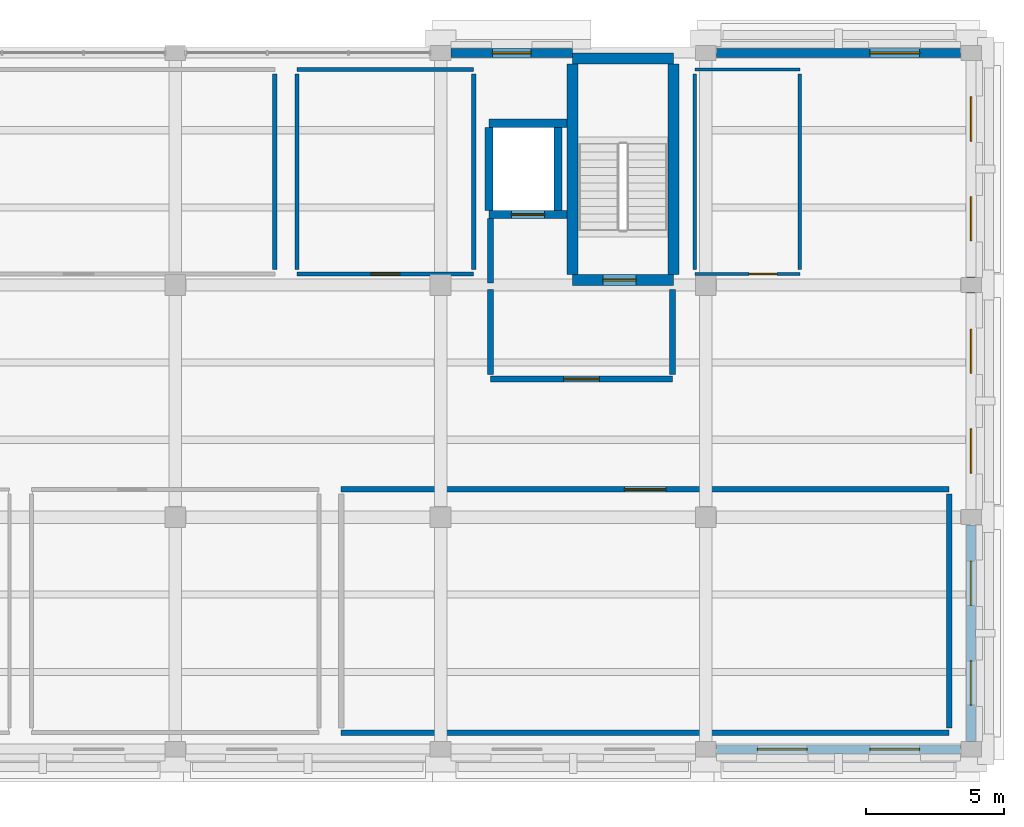
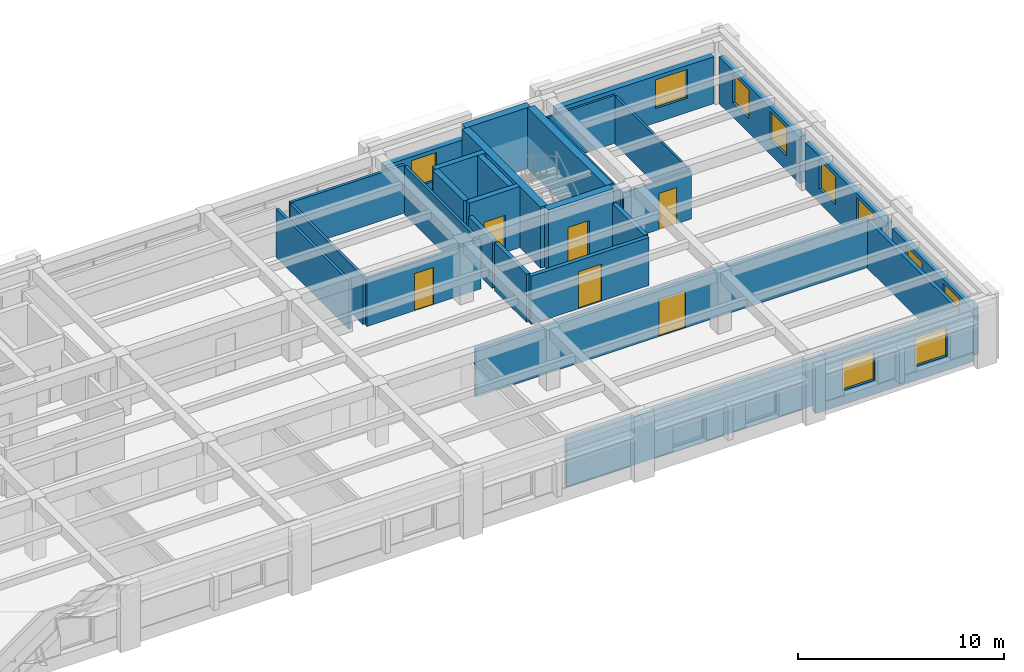
# One storey, part 7 of 12: 30 walls, 10 windows, 6 doors, 16 openings.
"""IFC4 building model written with IfcOpenShell, lengths in metres."""

from ifc_helpers import new_model, si_unit, direction, frame, frame_2d, origin, place, context, subcontext, project, spatial, rectangle, extrude, material, layer, layer_set, type_object, element, fill, save


model = new_model("IFC4")

# Units and contexts
model_context = context("Model", 3, precision=1e-05, world=origin(), true_north=direction((0.0, 1.0)))
body_context = subcontext(model_context, "Body", "Model", "MODEL_VIEW")
ifc_project = project(units=[si_unit("LENGTHUNIT", "METRE"), si_unit("AREAUNIT", "SQUARE_METRE"), si_unit("VOLUMEUNIT", "CUBIC_METRE"), si_unit("PLANEANGLEUNIT", "RADIAN"), si_unit("MASSUNIT", "GRAM", prefix="KILO")], contexts=[model_context])

# Site, building, storey
site_placement = place(None, origin())
site = spatial("IfcSite", under=ifc_project, at=site_placement, CompositionType="ELEMENT")
building_placement = place(site_placement, origin())
building = spatial("IfcBuilding", under=site, at=building_placement, Name="Bempovik Park Faculty of Sciences", CompositionType="ELEMENT")
storey_placement = place(building_placement, frame((0.0, 0.0, 34.5)))
storey = spatial("IfcBuildingStorey", under=building, at=storey_placement, Name="L08", CompositionType="ELEMENT", Elevation=34.5)

# Wall, opening, door
ifc_material_1 = material(Name="Gypsum acoustic stud assembly")
ifc_layer_1 = layer(ifc_material_1, 0.1201171875)
ifc_layer_set_1 = layer_set([ifc_layer_1], Name="Gypsum acoustic stud assembly")
wall_type_1 = type_object("IfcWallType", Name="W-17 Wall 120mm", PredefinedType="PARTITIONING", material=ifc_layer_set_1)
wall_1_placement = place(storey_placement, frame((107.60009765625, 111.39990234375, 0.0), z_axis=(0.0, 0.0, 1.0), x_axis=(1.0, 0.0, 0.0)))
wall_1 = element("IfcWall", 1, at=wall_1_placement, inside=storey, type_object=wall_type_1, Name="L08 L08 Accessible WC Partition South", PredefinedType="PARTITIONING", context=body_context, shape_type="SweptSolid", body=[
    extrude(rectangle(XDim=3.7998046875, YDim=0.1201171875, at=frame_2d((1.89990234375, 0.0))), origin(), (0.0, 0.0, 1.0), 2.85009765625),
])
opening_1_placement = place(wall_1_placement, frame((1.969970703125, 0.0, 0.0)))
opening_1 = element("IfcOpeningElement", 2, at=opening_1_placement, cuts=wall_1, Name="Opening D-50", PredefinedType="OPENING", context=body_context, shape_type="SweptSolid", body=[
    extrude(rectangle(XDim=1.0, YDim=2.14990234375, at=frame_2d((0.5, 1.074951171875))), frame((0.0, 0.070068359375, 0.0), z_axis=(0.0, -1.0, 0.0), x_axis=(1.0, 0.0, 0.0)), (0.0, 0.0, 1.0), 0.14013671875),
])
ifc_material_2 = material(Name="West African hardwood finish", Category="wood")
door_type_1 = type_object("IfcDoorType", Name="D-50 Door 1000x2150", OperationType="NOTDEFINED", PredefinedType="DOOR", material=ifc_material_2)
door_1_placement = place(opening_1_placement, origin())
door_1 = element("IfcDoor", 3, at=door_1_placement, inside=storey, type_object=door_type_1, Name="L08 L08 Accessible WC Door", OperationType="SINGLE_SWING_LEFT", OverallHeight=2.14990234375, OverallWidth=1.0, PredefinedType="DOOR", context=body_context, shape_type="SweptSolid", body=[
    extrude(rectangle(XDim=1.0, YDim=2.14990234375, at=frame_2d((0.5, 1.074951171875))), frame((0.0, 0.02490234375, 0.0), z_axis=(0.0, -1.0, 0.0), x_axis=(1.0, 0.0, 0.0)), (0.0, 0.0, 1.0), 0.050048828125),
])
fill(opening_1, door_1)

# Walls
wall_2_placement = place(storey_placement, frame((107.60009765625, 118.800048828125, 0.0), z_axis=(0.0, 0.0, 1.0), x_axis=(1.0, 0.0, 0.0)))
element("IfcWall", 4, at=wall_2_placement, inside=storey, type_object=wall_type_1, Name="L08 L08 Accessible WC Partition North", PredefinedType="PARTITIONING", context=body_context, shape_type="SweptSolid", body=[
    extrude(rectangle(XDim=3.7998046875, YDim=0.1201171875, at=frame_2d((1.89990234375, 0.0))), origin(), (0.0, 0.0, 1.0), 2.85009765625),
])
for number, where, z_axis, x_axis, name in (
    (5, (107.60009765625, 111.56005859375, 0.0), (0.0, 0.0, 1.0), (0.0, 1.0, 0.0), "L08 L08 Accessible WC Partition West"),
    (6, (111.39990234375, 111.56005859375, 0.0), (0.0, 0.0, 1.0), (0.0, 1.0, 0.0), "L08 L08 Accessible WC Partition East"),
):
    element("IfcWall", number, at=place(storey_placement, frame(where, z_axis=z_axis, x_axis=x_axis)), inside=storey, type_object=wall_type_1, Name=name, PredefinedType="PARTITIONING", context=body_context, shape_type="SweptSolid", body=[
        extrude(rectangle(XDim=7.079833984375, YDim=0.1201171875, at=frame_2d((3.5400390625, 0.0))), origin(), (0.0, 0.0, 1.0), 2.85009765625),
    ])

# Wall, opening, door
ifc_material_3 = material(Name="Concrete C40/50", Category="concrete")
ifc_layer_2 = layer(ifc_material_3, 0.300048828125)
ifc_layer_set_2 = layer_set([ifc_layer_2], Name="Concrete C40/50")
wall_type_2 = type_object("IfcWallType", Name="W-31 Wall 300mm", PredefinedType="SHEAR", material=ifc_layer_set_2)
wall_3_placement = place(storey_placement, frame((100.14990234375, 113.550048828125, 0.0), z_axis=(0.0, 0.0, 1.0), x_axis=(1.0, 0.0, 0.0)))
wall_3 = element("IfcWall", 7, at=wall_3_placement, inside=storey, type_object=wall_type_2, Name="Lift LF-2 L08 Shaft Wall South", PredefinedType="SHEAR", context=body_context, shape_type="SweptSolid", body=[
    extrude(rectangle(XDim=2.8251953125, YDim=0.300048828125, at=frame_2d((1.41259765625, 0.0))), origin(), (0.0, 0.0, 1.0), 3.6201171875),
])
opening_2_placement = place(wall_3_placement, frame((0.8125, 0.0, 0.0)))
opening_2 = element("IfcOpeningElement", 8, at=opening_2_placement, cuts=wall_3, Name="Opening LD-01", PredefinedType="OPENING", context=body_context, shape_type="SweptSolid", body=[
    extrude(rectangle(XDim=1.199951171875, YDim=2.199951171875, at=frame_2d((0.60009765625, 1.10009765625))), frame((0.0, 0.16015625, 0.0), z_axis=(0.0, -1.0, 0.0), x_axis=(1.0, 0.0, 0.0)), (0.0, 0.0, 1.0), 0.320068359375),
])
ifc_material_4 = material(Name="Painted steel S355", Category="steel")
door_type_2 = type_object("IfcDoorType", Name="LD-01 Door 1200x2200", OperationType="NOTDEFINED", PredefinedType="DOOR", material=ifc_material_4)
door_2_placement = place(opening_2_placement, origin())
door_2 = element("IfcDoor", 9, at=door_2_placement, inside=storey, type_object=door_type_2, Name="Lift LF-2 L08 Sliding Landing Door", OperationType="SLIDING_TO_LEFT", OverallHeight=2.199951171875, OverallWidth=1.199951171875, PredefinedType="DOOR", context=body_context, shape_type="SweptSolid", body=[
    extrude(rectangle(XDim=1.199951171875, YDim=2.199951171875, at=frame_2d((0.60009765625, 1.10009765625))), frame((0.0, 0.02490234375, 0.0), z_axis=(0.0, -1.0, 0.0), x_axis=(1.0, 0.0, 0.0)), (0.0, 0.0, 1.0), 0.050048828125),
])
fill(opening_2, door_2)

# Walls
wall_4_placement = place(storey_placement, frame((100.14990234375, 116.85009765625, 0.0), z_axis=(0.0, 0.0, 1.0), x_axis=(1.0, 0.0, 0.0)))
element("IfcWall", 10, at=wall_4_placement, inside=storey, type_object=wall_type_2, Name="Lift LF-2 L08 Shaft Wall North", PredefinedType="SHEAR", context=body_context, shape_type="SweptSolid", body=[
    extrude(rectangle(XDim=2.8251953125, YDim=0.300048828125, at=frame_2d((1.41259765625, 0.0))), origin(), (0.0, 0.0, 1.0), 3.6201171875),
])
for number, where, z_axis, x_axis, name in (
    (11, (100.14990234375, 113.699951171875, 0.0), (0.0, 0.0, 1.0), (0.0, 1.0, 0.0), "Lift LF-2 L08 Shaft Wall West"),
    (12, (102.64990234375, 113.699951171875, 0.0), (0.0, 0.0, 1.0), (0.0, 1.0, 0.0), "Lift LF-2 L08 Shaft Wall East"),
):
    element("IfcWall", number, at=place(storey_placement, frame(where, z_axis=z_axis, x_axis=x_axis)), inside=storey, type_object=wall_type_2, Name=name, PredefinedType="SHEAR", context=body_context, shape_type="SweptSolid", body=[
        extrude(rectangle(XDim=3.0, YDim=0.300048828125, at=frame_2d((1.5, 0.0))), origin(), (0.0, 0.0, 1.0), 3.6201171875),
    ])

# Wall, opening, door
ifc_material_5 = material(Name="Concrete C35/45", Category="concrete")
ifc_layer_3 = layer(ifc_material_5, 0.219970703125)
ifc_layer_set_3 = layer_set([ifc_layer_3], Name="Concrete C35/45")
wall_type_3 = type_object("IfcWallType", Name="W-38 Wall 220mm", PredefinedType="PARTITIONING", material=ifc_layer_set_3)
wall_5_placement = place(storey_placement, frame((100.199951171875, 107.60009765625, 0.0), z_axis=(0.0, 0.0, 1.0), x_axis=(1.0, 0.0, 0.0)))
wall_5 = element("IfcWall", 13, at=wall_5_placement, inside=storey, type_object=wall_type_3, Name="L08 Firefighting Lift Lobby East Partition South", PredefinedType="PARTITIONING", context=body_context, shape_type="SweptSolid", body=[
    extrude(rectangle(XDim=6.60009765625, YDim=0.219970703125, at=frame_2d((3.300048828125, 0.0))), origin(), (0.0, 0.0, 1.0), 2.85009765625),
])
opening_3_placement = place(wall_5_placement, frame((2.64990234375, 0.0, 0.0)))
opening_3 = element("IfcOpeningElement", 14, at=opening_3_placement, cuts=wall_5, Name="Opening D-38", PredefinedType="OPENING", context=body_context, shape_type="SweptSolid", body=[
    extrude(rectangle(XDim=1.300048828125, YDim=2.199951171875, at=frame_2d((0.64990234375, 1.10009765625))), frame((0.0, 0.1201171875, 0.0), z_axis=(0.0, -1.0, 0.0), x_axis=(1.0, 0.0, 0.0)), (0.0, 0.0, 1.0), 0.239990234375),
])
door_type_3 = type_object("IfcDoorType", Name="D-38 Door 1300x2200", OperationType="NOTDEFINED", PredefinedType="DOOR", material=ifc_material_4)
door_3_placement = place(opening_3_placement, origin())
door_3 = element("IfcDoor", 15, at=door_3_placement, inside=storey, type_object=door_type_3, Name="L08 Firefighting Lift Lobby East Door", OperationType="SINGLE_SWING_LEFT", OverallHeight=2.199951171875, OverallWidth=1.300048828125, PredefinedType="DOOR", context=body_context, shape_type="SweptSolid", body=[
    extrude(rectangle(XDim=1.300048828125, YDim=2.199951171875, at=frame_2d((0.64990234375, 1.10009765625))), frame((0.0, 0.02490234375, 0.0), z_axis=(0.0, -1.0, 0.0), x_axis=(1.0, 0.0, 0.0)), (0.0, 0.0, 1.0), 0.050048828125),
])
fill(opening_3, door_3)

# Walls
wall_6_placement = place(storey_placement, frame((100.199951171875, 111.080078125, 0.0), z_axis=(0.0, 0.0, 1.0), x_axis=(0.0, 1.0, 0.0)))
element("IfcWall", 16, at=wall_6_placement, inside=storey, type_object=wall_type_3, Name="L08 Firefighting Lobby East Lift Link Wall", PredefinedType="PARTITIONING", context=body_context, shape_type="SweptSolid", body=[
    extrude(rectangle(XDim=2.31982421875, YDim=0.219970703125, at=frame_2d((1.159912109375, 0.0))), origin(), (0.0, 0.0, 1.0), 2.85009765625),
])
for number, where, z_axis, x_axis, name in (
    (17, (100.199951171875, 107.760009765625, 0.0), (0.0, 0.0, 1.0), (0.0, 1.0, 0.0), "L08 Firefighting Lift Lobby East Partition West"),
    (18, (106.800048828125, 107.760009765625, 0.0), (0.0, 0.0, 1.0), (0.0, 1.0, 0.0), "L08 Firefighting Lift Lobby East Partition East"),
):
    element("IfcWall", number, at=place(storey_placement, frame(where, z_axis=z_axis, x_axis=x_axis)), inside=storey, type_object=wall_type_3, Name=name, PredefinedType="PARTITIONING", context=body_context, shape_type="SweptSolid", body=[
        extrude(rectangle(XDim=3.080078125, YDim=0.219970703125, at=frame_2d((1.5400390625, 0.0))), origin(), (0.0, 0.0, 1.0), 2.85009765625),
    ])
ifc_layer_4 = layer(ifc_material_1, 0.14990234375)
ifc_layer_set_4 = layer_set([ifc_layer_4], Name="Gypsum acoustic stud assembly")
wall_type_4 = type_object("IfcWallType", Name="W-42 Wall 150mm", PredefinedType="PARTITIONING", material=ifc_layer_set_4)
wall_7_placement = place(storey_placement, frame((92.39990234375, 111.56005859375, 0.0), z_axis=(0.0, 0.0, 1.0), x_axis=(0.0, 1.0, 0.0)))
element("IfcWall", 19, at=wall_7_placement, inside=storey, type_object=wall_type_4, Name="L08 Seismometer Calibration Workshop Partition East", PredefinedType="PARTITIONING", context=body_context, shape_type="SweptSolid", body=[
    extrude(rectangle(XDim=7.079833984375, YDim=0.14990234375, at=frame_2d((3.5400390625, 0.0))), origin(), (0.0, 0.0, 1.0), 2.85009765625),
])

# Wall, opening, door
wall_8_placement = place(storey_placement, frame((93.199951171875, 111.39990234375, 0.0), z_axis=(0.0, 0.0, 1.0), x_axis=(1.0, 0.0, 0.0)))
wall_8 = element("IfcWall", 20, at=wall_8_placement, inside=storey, type_object=wall_type_4, Name="L08 Doctoral Reading Room Partition South", PredefinedType="PARTITIONING", context=body_context, shape_type="SweptSolid", body=[
    extrude(rectangle(XDim=6.400146484375, YDim=0.14990234375, at=frame_2d((3.2001953125, 0.0))), origin(), (0.0, 0.0, 1.0), 2.85009765625),
])
opening_4_placement = place(wall_8_placement, frame((2.675048828125, 0.0, 0.0)))
opening_4 = element("IfcOpeningElement", 21, at=opening_4_placement, cuts=wall_8, Name="Opening D-16", PredefinedType="OPENING", context=body_context, shape_type="SweptSolid", body=[
    extrude(rectangle(XDim=1.050048828125, YDim=2.199951171875, at=frame_2d((0.52490234375, 1.10009765625))), frame((0.0, 0.0849609375, 0.0), z_axis=(0.0, -1.0, 0.0), x_axis=(1.0, 0.0, 0.0)), (0.0, 0.0, 1.0), 0.169921875),
])
door_type_4 = type_object("IfcDoorType", Name="D-16 Door 1050x2200", OperationType="NOTDEFINED", PredefinedType="DOOR", material=ifc_material_2)
door_4_placement = place(opening_4_placement, origin())
door_4 = element("IfcDoor", 22, at=door_4_placement, inside=storey, type_object=door_type_4, Name="L08 Doctoral Reading Room Door", OperationType="SINGLE_SWING_RIGHT", OverallHeight=2.199951171875, OverallWidth=1.050048828125, PredefinedType="DOOR", context=body_context, shape_type="SweptSolid", body=[
    extrude(rectangle(XDim=1.050048828125, YDim=2.199951171875, at=frame_2d((0.52490234375, 1.10009765625))), frame((0.0, 0.02490234375, 0.0), z_axis=(0.0, -1.0, 0.0), x_axis=(1.0, 0.0, 0.0)), (0.0, 0.0, 1.0), 0.050048828125),
])
fill(opening_4, door_4)

# Walls
wall_9_placement = place(storey_placement, frame((93.199951171875, 118.800048828125, 0.0), z_axis=(0.0, 0.0, 1.0), x_axis=(1.0, 0.0, 0.0)))
element("IfcWall", 23, at=wall_9_placement, inside=storey, type_object=wall_type_4, Name="L08 Doctoral Reading Room Partition North", PredefinedType="PARTITIONING", context=body_context, shape_type="SweptSolid", body=[
    extrude(rectangle(XDim=6.400146484375, YDim=0.14990234375, at=frame_2d((3.2001953125, 0.0))), origin(), (0.0, 0.0, 1.0), 2.85009765625),
])
for number, where, z_axis, x_axis, name in (
    (24, (93.199951171875, 111.56005859375, 0.0), (0.0, 0.0, 1.0), (0.0, 1.0, 0.0), "L08 Doctoral Reading Room Partition West"),
    (25, (99.60009765625, 111.56005859375, 0.0), (0.0, 0.0, 1.0), (0.0, 1.0, 0.0), "L08 Doctoral Reading Room Partition East"),
):
    element("IfcWall", number, at=place(storey_placement, frame(where, z_axis=z_axis, x_axis=x_axis)), inside=storey, type_object=wall_type_4, Name=name, PredefinedType="PARTITIONING", context=body_context, shape_type="SweptSolid", body=[
        extrude(rectangle(XDim=7.079833984375, YDim=0.14990234375, at=frame_2d((3.5400390625, 0.0))), origin(), (0.0, 0.0, 1.0), 2.85009765625),
    ])

# Wall, opening, door
ifc_layer_5 = layer(ifc_material_3, 0.39990234375)
ifc_layer_set_5 = layer_set([ifc_layer_5], Name="Concrete C40/50")
wall_type_5 = type_object("IfcWallType", Name="W-47 Wall 400mm", PredefinedType="SHEAR", material=ifc_layer_set_5)
wall_10_placement = place(storey_placement, frame((103.175048828125, 111.175048828125, 0.0), z_axis=(0.0, 0.0, 1.0), x_axis=(1.0, 0.0, 0.0)))
wall_10 = element("IfcWall", 26, at=wall_10_placement, inside=storey, type_object=wall_type_5, Name="ST-2 L08 Core Shear Wall South", PredefinedType="SHEAR", context=body_context, shape_type="SweptSolid", body=[
    extrude(rectangle(XDim=3.64990234375, YDim=0.39990234375, at=frame_2d((1.824951171875, 0.0))), origin(), (0.0, 0.0, 1.0), 3.6201171875),
])
opening_5_placement = place(wall_10_placement, frame((1.10009765625, 0.0, 0.0)))
opening_5 = element("IfcOpeningElement", 27, at=opening_5_placement, cuts=wall_10, Name="Opening D-49", PredefinedType="OPENING", context=body_context, shape_type="SweptSolid", body=[
    extrude(rectangle(XDim=1.199951171875, YDim=2.199951171875, at=frame_2d((0.60009765625, 1.10009765625))), frame((0.0, 0.2099609375, 0.0), z_axis=(0.0, -1.0, 0.0), x_axis=(1.0, 0.0, 0.0)), (0.0, 0.0, 1.0), 0.419921875),
])
door_type_5 = type_object("IfcDoorType", Name="D-49 Door 1200x2200", OperationType="NOTDEFINED", PredefinedType="DOOR", material=ifc_material_4)
door_5_placement = place(opening_5_placement, origin())
door_5 = element("IfcDoor", 28, at=door_5_placement, inside=storey, type_object=door_type_5, Name="ST-2 L08 Protected Stair Smoke Door", OperationType="SINGLE_SWING_RIGHT", OverallHeight=2.199951171875, OverallWidth=1.199951171875, PredefinedType="DOOR", context=body_context, shape_type="SweptSolid", body=[
    extrude(rectangle(XDim=1.199951171875, YDim=2.199951171875, at=frame_2d((0.60009765625, 1.10009765625))), frame((0.0, 0.02490234375, 0.0), z_axis=(0.0, -1.0, 0.0), x_axis=(1.0, 0.0, 0.0)), (0.0, 0.0, 1.0), 0.050048828125),
])
fill(opening_5, door_5)

# Walls
for number, where, z_axis, x_axis, name in (
    (29, (103.175048828125, 111.375, 0.0), (0.0, 0.0, 1.0), (0.0, 1.0, 0.0), "ST-2 L08 Core Shear Wall West"),
    (30, (106.824951171875, 111.375, 0.0), (0.0, 0.0, 1.0), (0.0, 1.0, 0.0), "ST-2 L08 Core Shear Wall East"),
):
    element("IfcWall", number, at=place(storey_placement, frame(where, z_axis=z_axis, x_axis=x_axis)), inside=storey, type_object=wall_type_5, Name=name, PredefinedType="SHEAR", context=body_context, shape_type="SweptSolid", body=[
        extrude(rectangle(XDim=7.625, YDim=0.39990234375, at=frame_2d((3.8125, 0.0))), origin(), (0.0, 0.0, 1.0), 3.6201171875),
    ])
wall_11_placement = place(storey_placement, frame((103.175048828125, 119.199951171875, 0.0), z_axis=(0.0, 0.0, 1.0), x_axis=(1.0, 0.0, 0.0)))
element("IfcWall", 31, at=wall_11_placement, inside=storey, type_object=wall_type_5, Name="ST-2 L08 Core Shear Wall North", PredefinedType="SHEAR", context=body_context, shape_type="SweptSolid", body=[
    extrude(rectangle(XDim=3.64990234375, YDim=0.39990234375, at=frame_2d((1.824951171875, 0.0))), origin(), (0.0, 0.0, 1.0), 3.6201171875),
])

# Wall, openings, windows
ifc_material_6 = material(Name="Precast concrete C40/50", Category="concrete")
ifc_layer_6 = layer(ifc_material_6, 0.320068359375)
ifc_layer_set_6 = layer_set([ifc_layer_6], Name="Precast concrete C40/50")
wall_type_6 = type_object("IfcWallType", Name="W-56 Wall 320mm", PredefinedType="SOLIDWALL", material=ifc_layer_set_6)
wall_12_placement = place(storey_placement, frame((117.60009765625, 94.47705078125, 0.0), z_axis=(0.0, 0.0, 1.0), x_axis=(0.0, 1.0, 0.0)))
wall_12 = element("IfcWall", 32, at=wall_12_placement, inside=storey, type_object=wall_type_6, Name="L08 Classical Precast Facade Wall EW-L08-10772", PredefinedType="SOLIDWALL", context=body_context, shape_type="SweptSolid", body=[
    extrude(rectangle(XDim=7.845947265625, YDim=0.320068359375, at=frame_2d((3.9228515625, 0.0))), origin(), (0.0, 0.0, 1.0), 2.780029296875),
])
opening_6_placement = place(wall_12_placement, frame((1.318359375, 0.0, 0.85009765625)))
opening_6 = element("IfcOpeningElement", 33, at=opening_6_placement, cuts=wall_12, Name="Opening WN-88", PredefinedType="OPENING", context=body_context, shape_type="SweptSolid", body=[
    extrude(rectangle(XDim=1.60009765625, YDim=1.699951171875, at=frame_2d((0.800048828125, 0.85009765625))), frame((0.0, 0.169921875, 0.0), z_axis=(0.0, -1.0, 0.0), x_axis=(1.0, 0.0, 0.0)), (0.0, 0.0, 1.0), 0.340087890625),
])
opening_7_placement = place(wall_12_placement, frame((4.927490234375, 0.0, 0.85009765625)))
opening_7 = element("IfcOpeningElement", 34, at=opening_7_placement, cuts=wall_12, Name="Opening WN-88", PredefinedType="OPENING", context=body_context, shape_type="SweptSolid", body=[
    extrude(rectangle(XDim=1.60009765625, YDim=1.699951171875, at=frame_2d((0.800048828125, 0.85009765625))), frame((0.0, 0.169921875, 0.0), z_axis=(0.0, -1.0, 0.0), x_axis=(1.0, 0.0, 0.0)), (0.0, 0.0, 1.0), 0.340087890625),
])
ifc_material_7 = material(Name="Tempered laminated low-E glass", Category="glass")
window_type_1 = type_object("IfcWindowType", Name="WN-88 Window 1600x1700", PartitioningType="SINGLE_PANEL", PredefinedType="WINDOW", material=ifc_material_7)
window_1_placement = place(opening_6_placement, origin())
window_1 = element("IfcWindow", 35, at=window_1_placement, inside=storey, type_object=window_type_1, Name="L08 Window EW-L08-10772-1", OverallHeight=1.699951171875, OverallWidth=1.60009765625, PartitioningType="SINGLE_PANEL", PredefinedType="WINDOW", context=body_context, shape_type="SweptSolid", body=[
    extrude(rectangle(XDim=1.60009765625, YDim=1.699951171875, at=frame_2d((0.800048828125, 0.85009765625))), frame((0.0, 0.030029296875, 0.0), z_axis=(0.0, -1.0, 0.0), x_axis=(1.0, 0.0, 0.0)), (0.0, 0.0, 1.0), 0.06005859375),
])
fill(opening_6, window_1)
window_2_placement = place(opening_7_placement, origin())
window_2 = element("IfcWindow", 36, at=window_2_placement, inside=storey, type_object=window_type_1, Name="L08 Window EW-L08-10772-2", OverallHeight=1.699951171875, OverallWidth=1.60009765625, PartitioningType="SINGLE_PANEL", PredefinedType="WINDOW", context=body_context, shape_type="SweptSolid", body=[
    extrude(rectangle(XDim=1.60009765625, YDim=1.699951171875, at=frame_2d((0.800048828125, 0.85009765625))), frame((0.0, 0.030029296875, 0.0), z_axis=(0.0, -1.0, 0.0), x_axis=(1.0, 0.0, 0.0)), (0.0, 0.0, 1.0), 0.06005859375),
])
fill(opening_7, window_2)

wall_13_placement = place(storey_placement, frame((117.60009765625, 102.876953125, 0.0), z_axis=(0.0, 0.0, 1.0), x_axis=(0.0, 1.0, 0.0)))
wall_13 = element("IfcWall", 37, at=wall_13_placement, inside=storey, type_object=wall_type_6, Name="L08 Classical Precast Facade Wall EW-L08-10786", PredefinedType="SOLIDWALL", context=body_context, shape_type="SweptSolid", body=[
    extrude(rectangle(XDim=7.845947265625, YDim=0.320068359375, at=frame_2d((3.9228515625, 0.0))), origin(), (0.0, 0.0, 1.0), 2.780029296875),
])
opening_8_placement = place(wall_13_placement, frame((1.318359375, 0.0, 0.85009765625)))
opening_8 = element("IfcOpeningElement", 38, at=opening_8_placement, cuts=wall_13, Name="Opening WN-88", PredefinedType="OPENING", context=body_context, shape_type="SweptSolid", body=[
    extrude(rectangle(XDim=1.60009765625, YDim=1.699951171875, at=frame_2d((0.800048828125, 0.85009765625))), frame((0.0, 0.169921875, 0.0), z_axis=(0.0, -1.0, 0.0), x_axis=(1.0, 0.0, 0.0)), (0.0, 0.0, 1.0), 0.340087890625),
])
opening_9_placement = place(wall_13_placement, frame((4.927490234375, 0.0, 0.85009765625)))
opening_9 = element("IfcOpeningElement", 39, at=opening_9_placement, cuts=wall_13, Name="Opening WN-88", PredefinedType="OPENING", context=body_context, shape_type="SweptSolid", body=[
    extrude(rectangle(XDim=1.60009765625, YDim=1.699951171875, at=frame_2d((0.800048828125, 0.85009765625))), frame((0.0, 0.169921875, 0.0), z_axis=(0.0, -1.0, 0.0), x_axis=(1.0, 0.0, 0.0)), (0.0, 0.0, 1.0), 0.340087890625),
])
window_3_placement = place(opening_8_placement, origin())
window_3 = element("IfcWindow", 40, at=window_3_placement, inside=storey, type_object=window_type_1, Name="L08 Window EW-L08-10786-1", OverallHeight=1.699951171875, OverallWidth=1.60009765625, PartitioningType="SINGLE_PANEL", PredefinedType="WINDOW", context=body_context, shape_type="SweptSolid", body=[
    extrude(rectangle(XDim=1.60009765625, YDim=1.699951171875, at=frame_2d((0.800048828125, 0.85009765625))), frame((0.0, 0.030029296875, 0.0), z_axis=(0.0, -1.0, 0.0), x_axis=(1.0, 0.0, 0.0)), (0.0, 0.0, 1.0), 0.06005859375),
])
fill(opening_8, window_3)
window_4_placement = place(opening_9_placement, origin())
window_4 = element("IfcWindow", 41, at=window_4_placement, inside=storey, type_object=window_type_1, Name="L08 Window EW-L08-10786-2", OverallHeight=1.699951171875, OverallWidth=1.60009765625, PartitioningType="SINGLE_PANEL", PredefinedType="WINDOW", context=body_context, shape_type="SweptSolid", body=[
    extrude(rectangle(XDim=1.60009765625, YDim=1.699951171875, at=frame_2d((0.800048828125, 0.85009765625))), frame((0.0, 0.030029296875, 0.0), z_axis=(0.0, -1.0, 0.0), x_axis=(1.0, 0.0, 0.0)), (0.0, 0.0, 1.0), 0.06005859375),
])
fill(opening_9, window_4)

wall_14_placement = place(storey_placement, frame((117.60009765625, 111.277099609375, 0.0), z_axis=(0.0, 0.0, 1.0), x_axis=(0.0, 1.0, 0.0)))
wall_14 = element("IfcWall", 42, at=wall_14_placement, inside=storey, type_object=wall_type_6, Name="L08 Classical Precast Facade Wall EW-L08-10799", PredefinedType="SOLIDWALL", context=body_context, shape_type="SweptSolid", body=[
    extrude(rectangle(XDim=7.845947265625, YDim=0.320068359375, at=frame_2d((3.9228515625, 0.0))), origin(), (0.0, 0.0, 1.0), 2.780029296875),
])
opening_10_placement = place(wall_14_placement, frame((1.318359375, 0.0, 0.85009765625)))
opening_10 = element("IfcOpeningElement", 43, at=opening_10_placement, cuts=wall_14, Name="Opening WN-88", PredefinedType="OPENING", context=body_context, shape_type="SweptSolid", body=[
    extrude(rectangle(XDim=1.60009765625, YDim=1.699951171875, at=frame_2d((0.800048828125, 0.85009765625))), frame((0.0, 0.169921875, 0.0), z_axis=(0.0, -1.0, 0.0), x_axis=(1.0, 0.0, 0.0)), (0.0, 0.0, 1.0), 0.340087890625),
])
opening_11_placement = place(wall_14_placement, frame((4.927490234375, 0.0, 0.85009765625)))
opening_11 = element("IfcOpeningElement", 44, at=opening_11_placement, cuts=wall_14, Name="Opening WN-88", PredefinedType="OPENING", context=body_context, shape_type="SweptSolid", body=[
    extrude(rectangle(XDim=1.60009765625, YDim=1.699951171875, at=frame_2d((0.800048828125, 0.85009765625))), frame((0.0, 0.169921875, 0.0), z_axis=(0.0, -1.0, 0.0), x_axis=(1.0, 0.0, 0.0)), (0.0, 0.0, 1.0), 0.340087890625),
])
window_5_placement = place(opening_10_placement, origin())
window_5 = element("IfcWindow", 45, at=window_5_placement, inside=storey, type_object=window_type_1, Name="L08 Window EW-L08-10799-1", OverallHeight=1.699951171875, OverallWidth=1.60009765625, PartitioningType="SINGLE_PANEL", PredefinedType="WINDOW", context=body_context, shape_type="SweptSolid", body=[
    extrude(rectangle(XDim=1.60009765625, YDim=1.699951171875, at=frame_2d((0.800048828125, 0.85009765625))), frame((0.0, 0.030029296875, 0.0), z_axis=(0.0, -1.0, 0.0), x_axis=(1.0, 0.0, 0.0)), (0.0, 0.0, 1.0), 0.06005859375),
])
fill(opening_10, window_5)
window_6_placement = place(opening_11_placement, origin())
window_6 = element("IfcWindow", 46, at=window_6_placement, inside=storey, type_object=window_type_1, Name="L08 Window EW-L08-10799-2", OverallHeight=1.699951171875, OverallWidth=1.60009765625, PartitioningType="SINGLE_PANEL", PredefinedType="WINDOW", context=body_context, shape_type="SweptSolid", body=[
    extrude(rectangle(XDim=1.60009765625, YDim=1.699951171875, at=frame_2d((0.800048828125, 0.85009765625))), frame((0.0, 0.030029296875, 0.0), z_axis=(0.0, -1.0, 0.0), x_axis=(1.0, 0.0, 0.0)), (0.0, 0.0, 1.0), 0.06005859375),
])
fill(opening_11, window_6)

# Wall, opening, window
wall_15_placement = place(storey_placement, frame((98.777099609375, 119.39990234375, 0.0), z_axis=(0.0, 0.0, 1.0), x_axis=(1.0, 0.0, 0.0)))
wall_15 = element("IfcWall", 47, at=wall_15_placement, inside=storey, type_object=wall_type_6, Name="L08 Classical Precast Facade Wall EW-L08-10869", PredefinedType="SOLIDWALL", context=body_context, shape_type="SweptSolid", body=[
    extrude(rectangle(XDim=4.39697265625, YDim=0.320068359375, at=frame_2d((2.198486328125, 0.0))), origin(), (0.0, 0.0, 1.0), 2.780029296875),
])
opening_12_placement = place(wall_15_placement, frame((1.49853515625, 0.0, 0.89990234375)))
opening_12 = element("IfcOpeningElement", 48, at=opening_12_placement, cuts=wall_15, Name="Opening WN-84", PredefinedType="OPENING", context=body_context, shape_type="SweptSolid", body=[
    extrude(rectangle(XDim=1.39990234375, YDim=1.64990234375, at=frame_2d((0.699951171875, 0.824951171875))), frame((0.0, 0.169921875, 0.0), z_axis=(0.0, -1.0, 0.0), x_axis=(1.0, 0.0, 0.0)), (0.0, 0.0, 1.0), 0.340087890625),
])
window_type_2 = type_object("IfcWindowType", Name="WN-84 Window 1400x1650", PartitioningType="SINGLE_PANEL", PredefinedType="WINDOW", material=ifc_material_7)
window_7_placement = place(opening_12_placement, origin())
window_7 = element("IfcWindow", 49, at=window_7_placement, inside=storey, type_object=window_type_2, Name="L08 Stairwell Classical Lancet Window EW-L08-10869", OverallHeight=1.64990234375, OverallWidth=1.39990234375, PartitioningType="SINGLE_PANEL", PredefinedType="WINDOW", context=body_context, shape_type="SweptSolid", body=[
    extrude(rectangle(XDim=1.39990234375, YDim=1.64990234375, at=frame_2d((0.699951171875, 0.824951171875))), frame((0.0, 0.030029296875, 0.0), z_axis=(0.0, -1.0, 0.0), x_axis=(1.0, 0.0, 0.0)), (0.0, 0.0, 1.0), 0.06005859375),
])
fill(opening_12, window_7)

wall_16_placement = place(storey_placement, frame((108.376953125, 119.39990234375, 0.0), z_axis=(0.0, 0.0, 1.0), x_axis=(1.0, 0.0, 0.0)))
wall_16 = element("IfcWall", 50, at=wall_16_placement, inside=storey, type_object=wall_type_6, Name="L08 Classical Precast Facade Wall EW-L08-10877", PredefinedType="SOLIDWALL", context=body_context, shape_type="SweptSolid", body=[
    extrude(rectangle(XDim=8.845947265625, YDim=0.320068359375, at=frame_2d((4.4228515625, 0.0))), origin(), (0.0, 0.0, 1.0), 2.780029296875),
])
opening_13_placement = place(wall_16_placement, frame((5.5576171875, 0.0, 0.85009765625)))
opening_13 = element("IfcOpeningElement", 51, at=opening_13_placement, cuts=wall_16, Name="Opening WN-94", PredefinedType="OPENING", context=body_context, shape_type="SweptSolid", body=[
    extrude(rectangle(XDim=1.800048828125, YDim=1.699951171875, at=frame_2d((0.89990234375, 0.85009765625))), frame((0.0, 0.169921875, 0.0), z_axis=(0.0, -1.0, 0.0), x_axis=(1.0, 0.0, 0.0)), (0.0, 0.0, 1.0), 0.340087890625),
])
window_type_3 = type_object("IfcWindowType", Name="WN-94 Window 1800x1700", PartitioningType="SINGLE_PANEL", PredefinedType="WINDOW", material=ifc_material_7)
window_8_placement = place(opening_13_placement, origin())
window_8 = element("IfcWindow", 52, at=window_8_placement, inside=storey, type_object=window_type_3, Name="L08 Window EW-L08-10877-2", OverallHeight=1.699951171875, OverallWidth=1.800048828125, PartitioningType="SINGLE_PANEL", PredefinedType="WINDOW", context=body_context, shape_type="SweptSolid", body=[
    extrude(rectangle(XDim=1.800048828125, YDim=1.699951171875, at=frame_2d((0.89990234375, 0.85009765625))), frame((0.0, 0.030029296875, 0.0), z_axis=(0.0, -1.0, 0.0), x_axis=(1.0, 0.0, 0.0)), (0.0, 0.0, 1.0), 0.06005859375),
])
fill(opening_13, window_8)

# Wall, openings, windows
wall_17_placement = place(storey_placement, frame((108.376953125, 94.199951171875, 0.0), z_axis=(0.0, 0.0, 1.0), x_axis=(1.0, 0.0, 0.0)))
wall_17 = element("IfcWall", 53, at=wall_17_placement, inside=storey, type_object=wall_type_6, Name="L08 Classical Precast Facade Wall EW-L08-10988", PredefinedType="SOLIDWALL", context=body_context, shape_type="SweptSolid", body=[
    extrude(rectangle(XDim=8.845947265625, YDim=0.320068359375, at=frame_2d((4.4228515625, 0.0))), origin(), (0.0, 0.0, 1.0), 2.780029296875),
])
opening_14_placement = place(wall_17_placement, frame((1.48828125, 0.0, 0.85009765625)))
opening_14 = element("IfcOpeningElement", 54, at=opening_14_placement, cuts=wall_17, Name="Opening WN-94", PredefinedType="OPENING", context=body_context, shape_type="SweptSolid", body=[
    extrude(rectangle(XDim=1.800048828125, YDim=1.699951171875, at=frame_2d((0.89990234375, 0.85009765625))), frame((0.0, 0.169921875, 0.0), z_axis=(0.0, -1.0, 0.0), x_axis=(1.0, 0.0, 0.0)), (0.0, 0.0, 1.0), 0.340087890625),
])
opening_15_placement = place(wall_17_placement, frame((5.5576171875, 0.0, 0.85009765625)))
opening_15 = element("IfcOpeningElement", 55, at=opening_15_placement, cuts=wall_17, Name="Opening WN-94", PredefinedType="OPENING", context=body_context, shape_type="SweptSolid", body=[
    extrude(rectangle(XDim=1.800048828125, YDim=1.699951171875, at=frame_2d((0.89990234375, 0.85009765625))), frame((0.0, 0.169921875, 0.0), z_axis=(0.0, -1.0, 0.0), x_axis=(1.0, 0.0, 0.0)), (0.0, 0.0, 1.0), 0.340087890625),
])
window_9_placement = place(opening_14_placement, origin())
window_9 = element("IfcWindow", 56, at=window_9_placement, inside=storey, type_object=window_type_3, Name="L08 Window EW-L08-10988-1", OverallHeight=1.699951171875, OverallWidth=1.800048828125, PartitioningType="SINGLE_PANEL", PredefinedType="WINDOW", context=body_context, shape_type="SweptSolid", body=[
    extrude(rectangle(XDim=1.800048828125, YDim=1.699951171875, at=frame_2d((0.89990234375, 0.85009765625))), frame((0.0, 0.030029296875, 0.0), z_axis=(0.0, -1.0, 0.0), x_axis=(1.0, 0.0, 0.0)), (0.0, 0.0, 1.0), 0.06005859375),
])
fill(opening_14, window_9)
window_10_placement = place(opening_15_placement, origin())
window_10 = element("IfcWindow", 57, at=window_10_placement, inside=storey, type_object=window_type_3, Name="L08 Window EW-L08-10988-2", OverallHeight=1.699951171875, OverallWidth=1.800048828125, PartitioningType="SINGLE_PANEL", PredefinedType="WINDOW", context=body_context, shape_type="SweptSolid", body=[
    extrude(rectangle(XDim=1.800048828125, YDim=1.699951171875, at=frame_2d((0.89990234375, 0.85009765625))), frame((0.0, 0.030029296875, 0.0), z_axis=(0.0, -1.0, 0.0), x_axis=(1.0, 0.0, 0.0)), (0.0, 0.0, 1.0), 0.06005859375),
])
fill(opening_15, window_10)

# Wall
ifc_layer_7 = layer(ifc_material_5, 0.199951171875)
ifc_layer_set_7 = layer_set([ifc_layer_7], Name="Concrete C35/45")
wall_type_7 = type_object("IfcWallType", Name="W-59 Wall 200mm", PredefinedType="PARTITIONING", material=ifc_layer_set_7)
wall_18_placement = place(storey_placement, frame((94.800048828125, 94.800048828125, 0.0), z_axis=(0.0, 0.0, 1.0), x_axis=(1.0, 0.0, 0.0)))
element("IfcWall", 58, at=wall_18_placement, inside=storey, type_object=wall_type_7, Name="L08 Remote Sensing and GIS Research Laboratory Partition South", PredefinedType="PARTITIONING", context=body_context, shape_type="SweptSolid", body=[
    extrude(rectangle(XDim=22.0, YDim=0.199951171875, at=frame_2d((11.0, 0.0))), origin(), (0.0, 0.0, 1.0), 2.85009765625),
])

# Wall, opening, door
wall_19_placement = place(storey_placement, frame((94.800048828125, 103.60009765625, 0.0), z_axis=(0.0, 0.0, 1.0), x_axis=(1.0, 0.0, 0.0)))
wall_19 = element("IfcWall", 59, at=wall_19_placement, inside=storey, type_object=wall_type_7, Name="L08 Remote Sensing and GIS Research Laboratory Partition North", PredefinedType="PARTITIONING", context=body_context, shape_type="SweptSolid", body=[
    extrude(rectangle(XDim=22.0, YDim=0.199951171875, at=frame_2d((11.0, 0.0))), origin(), (0.0, 0.0, 1.0), 2.85009765625),
])
opening_16_placement = place(wall_19_placement, frame((10.25, 0.0, 0.0)))
opening_16 = element("IfcOpeningElement", 60, at=opening_16_placement, cuts=wall_19, Name="Opening D-22", PredefinedType="OPENING", context=body_context, shape_type="SweptSolid", body=[
    extrude(rectangle(XDim=1.5, YDim=2.199951171875, at=frame_2d((0.75, 1.10009765625))), frame((0.0, 0.10986328125, 0.0), z_axis=(0.0, -1.0, 0.0), x_axis=(1.0, 0.0, 0.0)), (0.0, 0.0, 1.0), 0.219970703125),
])
door_type_6 = type_object("IfcDoorType", Name="D-22 Door 1500x2200", OperationType="NOTDEFINED", PredefinedType="DOOR", material=ifc_material_2)
door_6_placement = place(opening_16_placement, origin())
door_6 = element("IfcDoor", 61, at=door_6_placement, inside=storey, type_object=door_type_6, Name="L08 Remote Sensing and GIS Research Laboratory Door", OperationType="SINGLE_SWING_RIGHT", OverallHeight=2.199951171875, OverallWidth=1.5, PredefinedType="DOOR", context=body_context, shape_type="SweptSolid", body=[
    extrude(rectangle(XDim=1.5, YDim=2.199951171875, at=frame_2d((0.75, 1.10009765625))), frame((0.0, 0.02490234375, 0.0), z_axis=(0.0, -1.0, 0.0), x_axis=(1.0, 0.0, 0.0)), (0.0, 0.0, 1.0), 0.050048828125),
])
fill(opening_16, door_6)

# Wall
wall_20_placement = place(storey_placement, frame((116.800048828125, 94.9599609375, 0.0), z_axis=(0.0, 0.0, 1.0), x_axis=(0.0, 1.0, 0.0)))
element("IfcWall", 62, at=wall_20_placement, inside=storey, type_object=wall_type_7, Name="L08 Remote Sensing and GIS Research Laboratory Partition East", PredefinedType="PARTITIONING", context=body_context, shape_type="SweptSolid", body=[
    extrude(rectangle(XDim=8.47998046875, YDim=0.199951171875, at=frame_2d((4.239990234375, 0.0))), origin(), (0.0, 0.0, 1.0), 2.85009765625),
])

save(model, "model.ifc")
